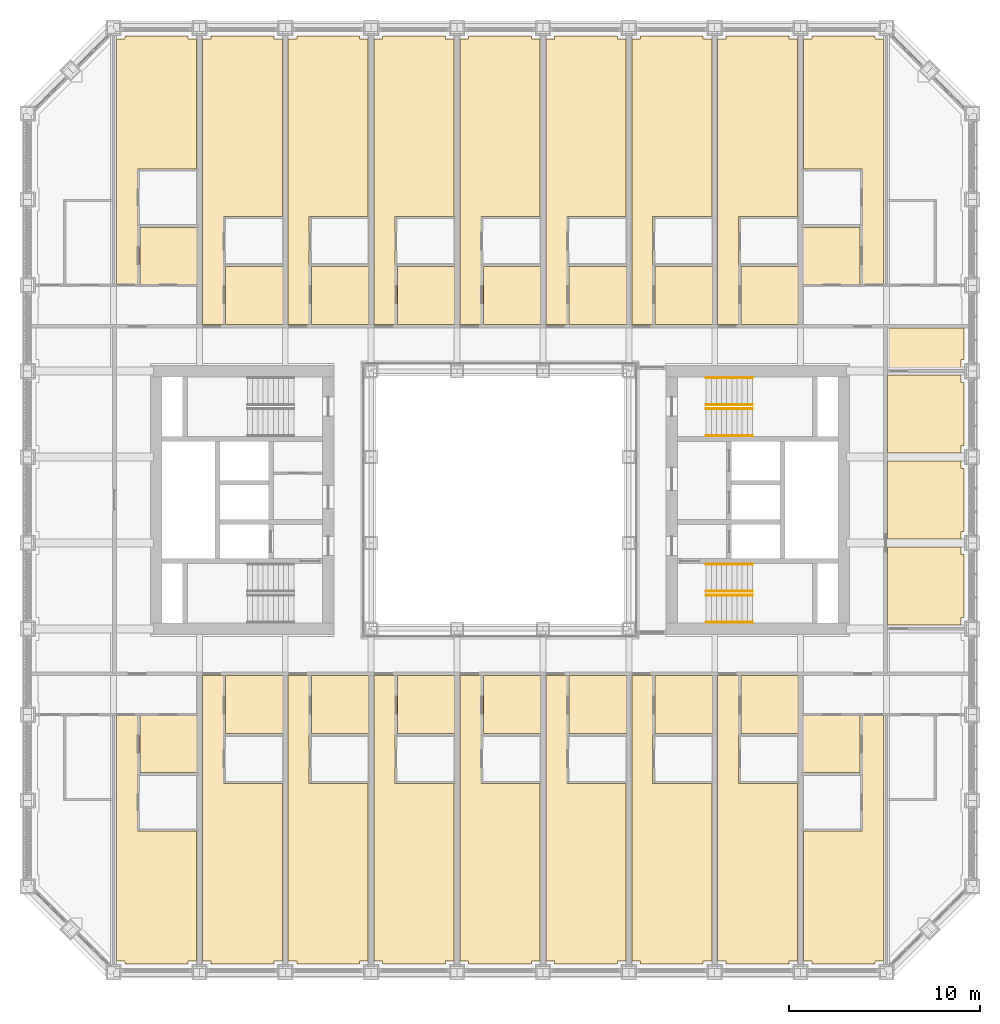
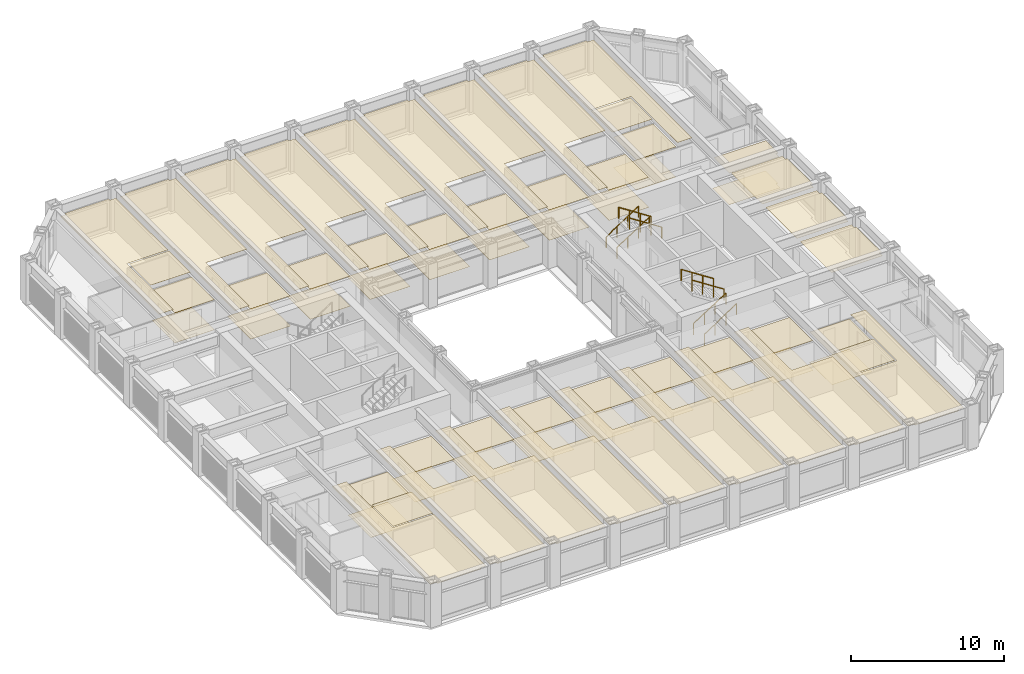
# One storey, part 20 of 21: 8 railings, 3 coverings.
"""IFC4 building model written with IfcOpenShell, lengths in metres."""

from ifc_helpers import new_model, si_unit, direction, frame, origin, origin_2d, place, context, subcontext, project, spatial, line, indexed_curve, circle, outline, extrude, material, layer, layer_set, type_object, element, save


model = new_model("IFC4")

# Units and contexts
model_context = context("Model", 3, precision=1e-05, world=origin(), true_north=direction((0.0, 1.0)))
body_context = subcontext(model_context, "Body", "Model", "MODEL_VIEW")
ifc_project = project(units=[si_unit("LENGTHUNIT", "METRE"), si_unit("AREAUNIT", "SQUARE_METRE"), si_unit("VOLUMEUNIT", "CUBIC_METRE"), si_unit("PLANEANGLEUNIT", "RADIAN"), si_unit("MASSUNIT", "GRAM", prefix="KILO")], contexts=[model_context])

# Site, building, storey
site_placement = place(None, origin())
site = spatial("IfcSite", under=ifc_project, at=site_placement, CompositionType="ELEMENT")
building_placement = place(site_placement, origin())
building = spatial("IfcBuilding", under=site, at=building_placement, Name="Msasa Ring Tower", CompositionType="ELEMENT")
storey_placement = place(building_placement, frame((0.0, 0.0, 30.0)))
storey = spatial("IfcBuildingStorey", under=building, at=storey_placement, Name="L06", CompositionType="ELEMENT", Elevation=30.0)

# Coverings
ifc_material_1 = material(Name="Gypsum plasterboard on a steel suspension grid", Category="steel")
ifc_layer_1 = layer(ifc_material_1, 0.014892578125)
ifc_layer_set_1 = layer_set([ifc_layer_1], Name="C1 SUSPENDED PLASTERBOARD CEILING 15")
covering_type_1 = type_object("IfcCoveringType", Name="C1 SUSPENDED PLASTERBOARD CEILING 15", PredefinedType="CEILING", material=ifc_layer_set_1)
covering_1_placement = place(storey_placement, frame((0.0, 0.0, 2.699951171875)))
element("IfcCovering", 1, at=covering_1_placement, inside=storey, type_object=covering_type_1, Name="Suspended Plasterboard Ceiling 15 L06", PredefinedType="CEILING", context=body_context, shape_type="SweptSolid", body=[
    extrude(outline(indexed_curve([(-19.6494140625, -24.299560546875), (-19.6494140625, -24.1494140625), (-20.095703125, -24.1494140625), (-20.095703125, -11.300537109375), (-19.00048828125, -11.300537109375), (-19.00048828125, -17.34130859375), (-15.904296875, -17.34130859375), (-15.904296875, -24.1494140625), (-16.3505859375, -24.1494140625), (-16.3505859375, -24.299560546875)], segments=[line(1, 2, 3, 4, 5, 6, 7, 8, 9, 10, 1)], self_intersect=False)), origin(), (0.0, 0.0, 1.0), 0.01513671875),
    extrude(outline(indexed_curve([(-19.00048828125, 11.300537109375), (-20.095703125, 11.300537109375), (-20.095703125, 24.1494140625), (-19.6494140625, 24.1494140625), (-19.6494140625, 24.299560546875), (-16.3505859375, 24.299560546875), (-16.3505859375, 24.1494140625), (-15.904296875, 24.1494140625), (-15.904296875, 17.34130859375), (-19.00048828125, 17.34130859375)], segments=[line(1, 2, 3, 4, 5, 6, 7, 8, 9, 10, 1)], self_intersect=False)), origin(), (0.0, 0.0, 1.0), 0.01513671875),
    extrude(outline(indexed_curve([(-18.8994140625, -14.430419921875), (-15.904296875, -14.430419921875), (-15.904296875, -17.2353515625), (-18.8994140625, -17.2353515625)], segments=[line(1, 2, 3, 4, 1)], self_intersect=False)), origin(), (0.0, 0.0, 1.0), 0.01513671875),
    extrude(outline(indexed_curve([(-15.904296875, 17.2353515625), (-15.904296875, 14.430419921875), (-18.8994140625, 14.430419921875), (-18.8994140625, 17.2353515625)], segments=[line(1, 2, 3, 4, 1)], self_intersect=False)), origin(), (0.0, 0.0, 1.0), 0.01513671875),
    extrude(outline(indexed_curve([(-15.1494140625, -24.299560546875), (-15.1494140625, -24.1494140625), (-15.595703125, -24.1494140625), (-15.595703125, -9.200439453125), (-14.50048828125, -9.200439453125), (-14.50048828125, -14.8505859375), (-11.404296875, -14.8505859375), (-11.404296875, -24.1494140625), (-11.8505859375, -24.1494140625), (-11.8505859375, -24.299560546875)], segments=[line(1, 2, 3, 4, 5, 6, 7, 8, 9, 10, 1)], self_intersect=False)), origin(), (0.0, 0.0, 1.0), 0.01513671875),
    extrude(outline(indexed_curve([(-11.8505859375, 24.299560546875), (-11.8505859375, 24.1494140625), (-11.404296875, 24.1494140625), (-11.404296875, 14.8505859375), (-14.50048828125, 14.8505859375), (-14.50048828125, 9.200439453125), (-15.595703125, 9.200439453125), (-15.595703125, 24.1494140625), (-15.1494140625, 24.1494140625), (-15.1494140625, 24.299560546875)], segments=[line(1, 2, 3, 4, 5, 6, 7, 8, 9, 10, 1)], self_intersect=False)), origin(), (0.0, 0.0, 1.0), 0.01513671875),
    extrude(outline(indexed_curve([(-10.6494140625, -24.299560546875), (-10.6494140625, -24.1494140625), (-11.095703125, -24.1494140625), (-11.095703125, -9.200439453125), (-10.00048828125, -9.200439453125), (-10.00048828125, -14.8505859375), (-6.904296875, -14.8505859375), (-6.904296875, -24.1494140625), (-7.3505859375, -24.1494140625), (-7.3505859375, -24.299560546875)], segments=[line(1, 2, 3, 4, 5, 6, 7, 8, 9, 10, 1)], self_intersect=False)), origin(), (0.0, 0.0, 1.0), 0.01513671875),
    extrude(outline(indexed_curve([(-11.095703125, 9.200439453125), (-11.095703125, 24.1494140625), (-10.6494140625, 24.1494140625), (-10.6494140625, 24.299560546875), (-7.3505859375, 24.299560546875), (-7.3505859375, 24.1494140625), (-6.904296875, 24.1494140625), (-6.904296875, 14.8505859375), (-10.00048828125, 14.8505859375), (-10.00048828125, 9.200439453125)], segments=[line(1, 2, 3, 4, 5, 6, 7, 8, 9, 10, 1)], self_intersect=False)), origin(), (0.0, 0.0, 1.0), 0.01513671875),
    extrude(outline(indexed_curve([(-5.50048828125, -9.200439453125), (-5.50048828125, -14.8505859375), (-2.404296875, -14.8505859375), (-2.404296875, -24.1494140625), (-2.8505859375, -24.1494140625), (-2.8505859375, -24.299560546875), (-6.1494140625, -24.299560546875), (-6.1494140625, -24.1494140625), (-6.595703125, -24.1494140625), (-6.595703125, -9.200439453125)], segments=[line(1, 2, 3, 4, 5, 6, 7, 8, 9, 10, 1)], self_intersect=False)), origin(), (0.0, 0.0, 1.0), 0.01513671875),
    extrude(outline(indexed_curve([(-2.8505859375, 24.299560546875), (-2.8505859375, 24.1494140625), (-2.404296875, 24.1494140625), (-2.404296875, 14.8505859375), (-5.50048828125, 14.8505859375), (-5.50048828125, 9.200439453125), (-6.595703125, 9.200439453125), (-6.595703125, 24.1494140625), (-6.1494140625, 24.1494140625), (-6.1494140625, 24.299560546875)], segments=[line(1, 2, 3, 4, 5, 6, 7, 8, 9, 10, 1)], self_intersect=False)), origin(), (0.0, 0.0, 1.0), 0.01513671875),
    extrude(outline(indexed_curve([(-1.00048828125, -9.200439453125), (-1.00048828125, -14.8505859375), (2.095703125, -14.8505859375), (2.095703125, -24.1494140625), (1.6494140625, -24.1494140625), (1.6494140625, -24.299560546875), (-1.6494140625, -24.299560546875), (-1.6494140625, -24.1494140625), (-2.095703125, -24.1494140625), (-2.095703125, -9.200439453125)], segments=[line(1, 2, 3, 4, 5, 6, 7, 8, 9, 10, 1)], self_intersect=False)), origin(), (0.0, 0.0, 1.0), 0.01513671875),
    extrude(outline(indexed_curve([(1.6494140625, 24.299560546875), (1.6494140625, 24.1494140625), (2.095703125, 24.1494140625), (2.095703125, 14.8505859375), (-1.00048828125, 14.8505859375), (-1.00048828125, 9.200439453125), (-2.095703125, 9.200439453125), (-2.095703125, 24.1494140625), (-1.6494140625, 24.1494140625), (-1.6494140625, 24.299560546875)], segments=[line(1, 2, 3, 4, 5, 6, 7, 8, 9, 10, 1)], self_intersect=False)), origin(), (0.0, 0.0, 1.0), 0.01513671875),
    extrude(outline(indexed_curve([(3.49951171875, -9.200439453125), (3.49951171875, -14.8505859375), (6.595703125, -14.8505859375), (6.595703125, -24.1494140625), (6.1494140625, -24.1494140625), (6.1494140625, -24.299560546875), (2.8505859375, -24.299560546875), (2.8505859375, -24.1494140625), (2.404296875, -24.1494140625), (2.404296875, -9.200439453125)], segments=[line(1, 2, 3, 4, 5, 6, 7, 8, 9, 10, 1)], self_intersect=False)), origin(), (0.0, 0.0, 1.0), 0.01513671875),
    extrude(outline(indexed_curve([(6.1494140625, 24.299560546875), (6.1494140625, 24.1494140625), (6.595703125, 24.1494140625), (6.595703125, 14.8505859375), (3.49951171875, 14.8505859375), (3.49951171875, 9.200439453125), (2.404296875, 9.200439453125), (2.404296875, 24.1494140625), (2.8505859375, 24.1494140625), (2.8505859375, 24.299560546875)], segments=[line(1, 2, 3, 4, 5, 6, 7, 8, 9, 10, 1)], self_intersect=False)), origin(), (0.0, 0.0, 1.0), 0.01513671875),
    extrude(outline(indexed_curve([(7.3505859375, -24.299560546875), (7.3505859375, -24.1494140625), (6.904296875, -24.1494140625), (6.904296875, -9.200439453125), (7.99951171875, -9.200439453125), (7.99951171875, -14.8505859375), (11.095703125, -14.8505859375), (11.095703125, -24.1494140625), (10.6494140625, -24.1494140625), (10.6494140625, -24.299560546875)], segments=[line(1, 2, 3, 4, 5, 6, 7, 8, 9, 10, 1)], self_intersect=False)), origin(), (0.0, 0.0, 1.0), 0.01513671875),
    extrude(outline(indexed_curve([(6.904296875, 9.200439453125), (6.904296875, 24.1494140625), (7.3505859375, 24.1494140625), (7.3505859375, 24.299560546875), (10.6494140625, 24.299560546875), (10.6494140625, 24.1494140625), (11.095703125, 24.1494140625), (11.095703125, 14.8505859375), (7.99951171875, 14.8505859375), (7.99951171875, 9.200439453125)], segments=[line(1, 2, 3, 4, 5, 6, 7, 8, 9, 10, 1)], self_intersect=False)), origin(), (0.0, 0.0, 1.0), 0.01513671875),
    extrude(outline(indexed_curve([(12.49951171875, -9.200439453125), (12.49951171875, -14.8505859375), (15.595703125, -14.8505859375), (15.595703125, -24.1494140625), (15.1494140625, -24.1494140625), (15.1494140625, -24.299560546875), (11.8505859375, -24.299560546875), (11.8505859375, -24.1494140625), (11.404296875, -24.1494140625), (11.404296875, -9.200439453125)], segments=[line(1, 2, 3, 4, 5, 6, 7, 8, 9, 10, 1)], self_intersect=False)), origin(), (0.0, 0.0, 1.0), 0.01513671875),
    extrude(outline(indexed_curve([(15.1494140625, 24.299560546875), (15.1494140625, 24.1494140625), (15.595703125, 24.1494140625), (15.595703125, 14.8505859375), (12.49951171875, 14.8505859375), (12.49951171875, 9.200439453125), (11.404296875, 9.200439453125), (11.404296875, 24.1494140625), (11.8505859375, 24.1494140625), (11.8505859375, 24.299560546875)], segments=[line(1, 2, 3, 4, 5, 6, 7, 8, 9, 10, 1)], self_intersect=False)), origin(), (0.0, 0.0, 1.0), 0.01513671875),
    extrude(outline(indexed_curve([(20.095703125, -11.300537109375), (20.095703125, -24.1494140625), (19.6494140625, -24.1494140625), (19.6494140625, -24.299560546875), (16.3505859375, -24.299560546875), (16.3505859375, -24.1494140625), (15.904296875, -24.1494140625), (15.904296875, -17.34130859375), (19.00048828125, -17.34130859375), (19.00048828125, -11.300537109375)], segments=[line(1, 2, 3, 4, 5, 6, 7, 8, 9, 10, 1)], self_intersect=False)), origin(), (0.0, 0.0, 1.0), 0.01513671875),
    extrude(outline(indexed_curve([(18.8994140625, -14.430419921875), (18.8994140625, -17.2353515625), (15.904296875, -17.2353515625), (15.904296875, -14.430419921875)], segments=[line(1, 2, 3, 4, 1)], self_intersect=False)), origin(), (0.0, 0.0, 1.0), 0.01513671875),
    extrude(outline(indexed_curve([(19.00048828125, 11.300537109375), (19.00048828125, 17.34130859375), (15.904296875, 17.34130859375), (15.904296875, 24.1494140625), (16.3505859375, 24.1494140625), (16.3505859375, 24.299560546875), (19.6494140625, 24.299560546875), (19.6494140625, 24.1494140625), (20.095703125, 24.1494140625), (20.095703125, 11.300537109375)], segments=[line(1, 2, 3, 4, 5, 6, 7, 8, 9, 10, 1)], self_intersect=False)), origin(), (0.0, 0.0, 1.0), 0.01513671875),
    extrude(outline(indexed_curve([(18.8994140625, 17.2353515625), (18.8994140625, 14.430419921875), (15.904296875, 14.430419921875), (15.904296875, 17.2353515625)], segments=[line(1, 2, 3, 4, 1)], self_intersect=False)), origin(), (0.0, 0.0, 1.0), 0.01513671875),
    extrude(outline(indexed_curve([(20.300537109375, -2.460693359375), (24.1494140625, -2.460693359375), (24.1494140625, -2.8505859375), (24.299560546875, -2.8505859375), (24.299560546875, -6.1494140625), (24.1494140625, -6.1494140625), (24.1494140625, -6.539306640625), (20.300537109375, -6.539306640625)], segments=[line(1, 2, 3, 4, 5, 6, 7, 8, 1)], self_intersect=False)), origin(), (0.0, 0.0, 1.0), 0.01513671875),
    extrude(outline(indexed_curve([(20.300537109375, 2.039306640625), (24.1494140625, 2.039306640625), (24.1494140625, 1.6494140625), (24.299560546875, 1.6494140625), (24.299560546875, -1.6494140625), (24.1494140625, -1.6494140625), (24.1494140625, -2.039306640625), (20.300537109375, -2.039306640625)], segments=[line(1, 2, 3, 4, 5, 6, 7, 8, 1)], self_intersect=False)), origin(), (0.0, 0.0, 1.0), 0.01513671875),
    extrude(outline(indexed_curve([(20.300537109375, 6.539306640625), (24.1494140625, 6.539306640625), (24.1494140625, 6.1494140625), (24.299560546875, 6.1494140625), (24.299560546875, 2.8505859375), (24.1494140625, 2.8505859375), (24.1494140625, 2.460693359375), (20.300537109375, 2.460693359375)], segments=[line(1, 2, 3, 4, 5, 6, 7, 8, 1)], self_intersect=False)), origin(), (0.0, 0.0, 1.0), 0.01513671875),
])
ifc_material_2 = material(Name="Moisture-resistant gypsum plasterboard on a steel suspension grid", Category="steel")
ifc_layer_2 = layer(ifc_material_2, 0.014892578125)
ifc_layer_set_2 = layer_set([ifc_layer_2], Name="C2 MOISTURE-RESISTANT PLASTERBOARD CEILING 15")
covering_type_2 = type_object("IfcCoveringType", Name="C2 MOISTURE-RESISTANT PLASTERBOARD CEILING 15", PredefinedType="CEILING", material=ifc_layer_set_2)
covering_2_placement = place(storey_placement, frame((0.0, 0.0, 2.39990234375)))
element("IfcCovering", 2, at=covering_2_placement, inside=storey, type_object=covering_type_2, Name="Moisture-Resistant Plasterboard Ceiling 15 L06", PredefinedType="CEILING", context=body_context, shape_type="SweptSolid", body=[
    extrude(outline(indexed_curve([(-18.8994140625, -11.300537109375), (-15.904296875, -11.300537109375), (-15.904296875, -14.299560546875), (-18.8994140625, -14.299560546875)], segments=[line(1, 2, 3, 4, 1)], self_intersect=False)), origin(), (0.0, 0.0, 1.0), 0.01513671875),
    extrude(outline(indexed_curve([(-18.8994140625, 14.299560546875), (-15.904296875, 14.299560546875), (-15.904296875, 11.300537109375), (-18.8994140625, 11.300537109375)], segments=[line(1, 2, 3, 4, 1)], self_intersect=False)), origin(), (0.0, 0.0, 1.0), 0.01513671875),
    extrude(outline(indexed_curve([(-14.3994140625, -9.200439453125), (-11.404296875, -9.200439453125), (-11.404296875, -12.24951171875), (-14.3994140625, -12.24951171875)], segments=[line(1, 2, 3, 4, 1)], self_intersect=False)), origin(), (0.0, 0.0, 1.0), 0.01513671875),
    extrude(outline(indexed_curve([(-14.3994140625, 12.24951171875), (-11.404296875, 12.24951171875), (-11.404296875, 9.200439453125), (-14.3994140625, 9.200439453125)], segments=[line(1, 2, 3, 4, 1)], self_intersect=False)), origin(), (0.0, 0.0, 1.0), 0.01513671875),
    extrude(outline(indexed_curve([(-9.8994140625, -9.200439453125), (-6.904296875, -9.200439453125), (-6.904296875, -12.24951171875), (-9.8994140625, -12.24951171875)], segments=[line(1, 2, 3, 4, 1)], self_intersect=False)), origin(), (0.0, 0.0, 1.0), 0.01513671875),
    extrude(outline(indexed_curve([(-9.8994140625, 12.24951171875), (-6.904296875, 12.24951171875), (-6.904296875, 9.200439453125), (-9.8994140625, 9.200439453125)], segments=[line(1, 2, 3, 4, 1)], self_intersect=False)), origin(), (0.0, 0.0, 1.0), 0.01513671875),
    extrude(outline(indexed_curve([(-5.3994140625, -9.200439453125), (-2.404296875, -9.200439453125), (-2.404296875, -12.24951171875), (-5.3994140625, -12.24951171875)], segments=[line(1, 2, 3, 4, 1)], self_intersect=False)), origin(), (0.0, 0.0, 1.0), 0.01513671875),
    extrude(outline(indexed_curve([(-2.404296875, 12.24951171875), (-2.404296875, 9.200439453125), (-5.3994140625, 9.200439453125), (-5.3994140625, 12.24951171875)], segments=[line(1, 2, 3, 4, 1)], self_intersect=False)), origin(), (0.0, 0.0, 1.0), 0.01513671875),
    extrude(outline(indexed_curve([(-0.8994140625, -9.200439453125), (2.095703125, -9.200439453125), (2.095703125, -12.24951171875), (-0.8994140625, -12.24951171875)], segments=[line(1, 2, 3, 4, 1)], self_intersect=False)), origin(), (0.0, 0.0, 1.0), 0.01513671875),
    extrude(outline(indexed_curve([(2.095703125, 12.24951171875), (2.095703125, 9.200439453125), (-0.8994140625, 9.200439453125), (-0.8994140625, 12.24951171875)], segments=[line(1, 2, 3, 4, 1)], self_intersect=False)), origin(), (0.0, 0.0, 1.0), 0.01513671875),
    extrude(outline(indexed_curve([(3.6005859375, -9.200439453125), (6.595703125, -9.200439453125), (6.595703125, -12.24951171875), (3.6005859375, -12.24951171875)], segments=[line(1, 2, 3, 4, 1)], self_intersect=False)), origin(), (0.0, 0.0, 1.0), 0.01513671875),
    extrude(outline(indexed_curve([(3.6005859375, 12.24951171875), (6.595703125, 12.24951171875), (6.595703125, 9.200439453125), (3.6005859375, 9.200439453125)], segments=[line(1, 2, 3, 4, 1)], self_intersect=False)), origin(), (0.0, 0.0, 1.0), 0.01513671875),
    extrude(outline(indexed_curve([(11.095703125, -9.200439453125), (11.095703125, -12.24951171875), (8.1005859375, -12.24951171875), (8.1005859375, -9.200439453125)], segments=[line(1, 2, 3, 4, 1)], self_intersect=False)), origin(), (0.0, 0.0, 1.0), 0.01513671875),
    extrude(outline(indexed_curve([(8.1005859375, 12.24951171875), (11.095703125, 12.24951171875), (11.095703125, 9.200439453125), (8.1005859375, 9.200439453125)], segments=[line(1, 2, 3, 4, 1)], self_intersect=False)), origin(), (0.0, 0.0, 1.0), 0.01513671875),
    extrude(outline(indexed_curve([(15.595703125, -9.200439453125), (15.595703125, -12.24951171875), (12.6005859375, -12.24951171875), (12.6005859375, -9.200439453125)], segments=[line(1, 2, 3, 4, 1)], self_intersect=False)), origin(), (0.0, 0.0, 1.0), 0.01513671875),
    extrude(outline(indexed_curve([(15.595703125, 12.24951171875), (15.595703125, 9.200439453125), (12.6005859375, 9.200439453125), (12.6005859375, 12.24951171875)], segments=[line(1, 2, 3, 4, 1)], self_intersect=False)), origin(), (0.0, 0.0, 1.0), 0.01513671875),
    extrude(outline(indexed_curve([(18.8994140625, -11.300537109375), (18.8994140625, -14.299560546875), (15.904296875, -14.299560546875), (15.904296875, -11.300537109375)], segments=[line(1, 2, 3, 4, 1)], self_intersect=False)), origin(), (0.0, 0.0, 1.0), 0.01513671875),
    extrude(outline(indexed_curve([(18.8994140625, 14.299560546875), (18.8994140625, 11.300537109375), (15.904296875, 11.300537109375), (15.904296875, 14.299560546875)], segments=[line(1, 2, 3, 4, 1)], self_intersect=False)), origin(), (0.0, 0.0, 1.0), 0.01513671875),
    extrude(outline(indexed_curve([(24.299560546875, 8.99951171875), (24.299560546875, 7.3505859375), (24.1494140625, 7.3505859375), (24.1494140625, 6.960693359375), (20.404296875, 6.960693359375), (20.404296875, 8.99951171875)], segments=[line(1, 2, 3, 4, 5, 6, 1)], self_intersect=False)), origin(), (0.0, 0.0, 1.0), 0.01513671875),
])
ifc_material_3 = material(Name="Porcelain floor tiles in adhesive", Category="ceramic")
ifc_layer_3 = layer(ifc_material_3, 0.010009765625)
ifc_layer_set_3 = layer_set([ifc_layer_3], Name="F4 PORCELAIN TILE ON ADHESIVE 10")
covering_type_3 = type_object("IfcCoveringType", Name="F4 PORCELAIN TILE ON ADHESIVE 10", PredefinedType="FLOORING", material=ifc_layer_set_3)
covering_3_placement = place(storey_placement, origin())
element("IfcCovering", 3, at=covering_3_placement, inside=storey, type_object=covering_type_3, Name="Porcelain Tile On Adhesive 10 L06", PredefinedType="FLOORING", context=body_context, shape_type="SweptSolid", body=[
    extrude(outline(indexed_curve([(-15.87548828125, -11.300537109375), (-15.87548828125, -14.2744140625), (-18.87451171875, -14.2744140625), (-18.87451171875, -11.300537109375)], segments=[line(1, 2, 3, 4, 1)], self_intersect=False)), origin(), (0.0, 0.0, 1.0), 0.010009765625),
    extrude(outline(indexed_curve([(-18.87451171875, 11.300537109375), (-18.87451171875, 14.2744140625), (-15.87548828125, 14.2744140625), (-15.87548828125, 11.300537109375)], segments=[line(1, 2, 3, 4, 1)], self_intersect=False)), origin(), (0.0, 0.0, 1.0), 0.010009765625),
    extrude(outline(indexed_curve([(-11.37548828125, -9.200439453125), (-11.37548828125, -12.224609375), (-14.37451171875, -12.224609375), (-14.37451171875, -9.200439453125)], segments=[line(1, 2, 3, 4, 1)], self_intersect=False)), origin(), (0.0, 0.0, 1.0), 0.010009765625),
    extrude(outline(indexed_curve([(-14.37451171875, 9.200439453125), (-14.37451171875, 12.224609375), (-11.37548828125, 12.224609375), (-11.37548828125, 9.200439453125)], segments=[line(1, 2, 3, 4, 1)], self_intersect=False)), origin(), (0.0, 0.0, 1.0), 0.010009765625),
    extrude(outline(indexed_curve([(-6.87548828125, -9.200439453125), (-6.87548828125, -12.224609375), (-9.87451171875, -12.224609375), (-9.87451171875, -9.200439453125)], segments=[line(1, 2, 3, 4, 1)], self_intersect=False)), origin(), (0.0, 0.0, 1.0), 0.010009765625),
    extrude(outline(indexed_curve([(-9.87451171875, 9.200439453125), (-9.87451171875, 12.224609375), (-6.87548828125, 12.224609375), (-6.87548828125, 9.200439453125)], segments=[line(1, 2, 3, 4, 1)], self_intersect=False)), origin(), (0.0, 0.0, 1.0), 0.010009765625),
    extrude(outline(indexed_curve([(-2.37548828125, -9.200439453125), (-2.37548828125, -12.224609375), (-5.37451171875, -12.224609375), (-5.37451171875, -9.200439453125)], segments=[line(1, 2, 3, 4, 1)], self_intersect=False)), origin(), (0.0, 0.0, 1.0), 0.010009765625),
    extrude(outline(indexed_curve([(-5.37451171875, 9.200439453125), (-5.37451171875, 12.224609375), (-2.37548828125, 12.224609375), (-2.37548828125, 9.200439453125)], segments=[line(1, 2, 3, 4, 1)], self_intersect=False)), origin(), (0.0, 0.0, 1.0), 0.010009765625),
    extrude(outline(indexed_curve([(2.12451171875, -9.200439453125), (2.12451171875, -12.224609375), (-0.87451171875, -12.224609375), (-0.87451171875, -9.200439453125)], segments=[line(1, 2, 3, 4, 1)], self_intersect=False)), origin(), (0.0, 0.0, 1.0), 0.010009765625),
    extrude(outline(indexed_curve([(-0.87451171875, 9.200439453125), (-0.87451171875, 12.224609375), (2.12451171875, 12.224609375), (2.12451171875, 9.200439453125)], segments=[line(1, 2, 3, 4, 1)], self_intersect=False)), origin(), (0.0, 0.0, 1.0), 0.010009765625),
    extrude(outline(indexed_curve([(6.62451171875, -9.200439453125), (6.62451171875, -12.224609375), (3.62548828125, -12.224609375), (3.62548828125, -9.200439453125)], segments=[line(1, 2, 3, 4, 1)], self_intersect=False)), origin(), (0.0, 0.0, 1.0), 0.010009765625),
    extrude(outline(indexed_curve([(3.62548828125, 9.200439453125), (3.62548828125, 12.224609375), (6.62451171875, 12.224609375), (6.62451171875, 9.200439453125)], segments=[line(1, 2, 3, 4, 1)], self_intersect=False)), origin(), (0.0, 0.0, 1.0), 0.010009765625),
    extrude(outline(indexed_curve([(11.12451171875, -9.200439453125), (11.12451171875, -12.224609375), (8.12548828125, -12.224609375), (8.12548828125, -9.200439453125)], segments=[line(1, 2, 3, 4, 1)], self_intersect=False)), origin(), (0.0, 0.0, 1.0), 0.010009765625),
    extrude(outline(indexed_curve([(8.12548828125, 9.200439453125), (8.12548828125, 12.224609375), (11.12451171875, 12.224609375), (11.12451171875, 9.200439453125)], segments=[line(1, 2, 3, 4, 1)], self_intersect=False)), origin(), (0.0, 0.0, 1.0), 0.010009765625),
    extrude(outline(indexed_curve([(15.62451171875, -9.200439453125), (15.62451171875, -12.224609375), (12.62548828125, -12.224609375), (12.62548828125, -9.200439453125)], segments=[line(1, 2, 3, 4, 1)], self_intersect=False)), origin(), (0.0, 0.0, 1.0), 0.010009765625),
    extrude(outline(indexed_curve([(12.62548828125, 9.200439453125), (12.62548828125, 12.224609375), (15.62451171875, 12.224609375), (15.62451171875, 9.200439453125)], segments=[line(1, 2, 3, 4, 1)], self_intersect=False)), origin(), (0.0, 0.0, 1.0), 0.010009765625),
    extrude(outline(indexed_curve([(18.87451171875, -11.300537109375), (18.87451171875, -14.2744140625), (15.87548828125, -14.2744140625), (15.87548828125, -11.300537109375)], segments=[line(1, 2, 3, 4, 1)], self_intersect=False)), origin(), (0.0, 0.0, 1.0), 0.010009765625),
    extrude(outline(indexed_curve([(15.87548828125, 11.300537109375), (15.87548828125, 14.2744140625), (18.87451171875, 14.2744140625), (18.87451171875, 11.300537109375)], segments=[line(1, 2, 3, 4, 1)], self_intersect=False)), origin(), (0.0, 0.0, 1.0), 0.010009765625),
    extrude(outline(indexed_curve([(20.300537109375, 8.99951171875), (24.299560546875, 8.99951171875), (24.299560546875, 7.3505859375), (24.1494140625, 7.3505859375), (24.1494140625, 6.83056640625), (20.300537109375, 6.83056640625)], segments=[line(1, 2, 3, 4, 5, 6, 1)], self_intersect=False)), origin(), (0.0, 0.0, 1.0), 0.010009765625),
])

# Railings
ifc_material_4 = material(Name="Stainless steel", Category="steel")
railing_type = type_object("IfcRailingType", Name="HR1 HANDRAIL 900", PredefinedType="HANDRAIL", material=ifc_material_4)
for number, where, name in (
    (4, (10.800048828125, -6.39990234375, 0.175048828125), "Handrail stair SEA L06 1"),
    (5, (10.800048828125, -5.0, 0.175048828125), "Handrail stair SEA L06 2"),
):
    element("IfcRailing", number, at=place(storey_placement, frame(where)), inside=storey, type_object=railing_type, Name=name, PredefinedType="HANDRAIL", context=body_context, shape_type="SweptSolid", body=[
        extrude(circle(Radius=0.02392578125, at=origin_2d()), frame((0.0, 0.0, 0.8759765625), z_axis=(0.839153699163, 0.0, 0.543894354798), x_axis=(0.0, 1.0, 0.0)), (0.0, 0.0, 1.0), 2.895751953125),
        extrude(circle(Radius=0.02099609375, at=origin_2d()), origin(), (0.0, 0.0, 1.0), 0.851806640625),
        extrude(circle(Radius=0.02099609375, at=origin_2d()), frame((0.81005859375, 0.0, 0.52490234375)), (0.0, 0.0, 1.0), 0.851806640625),
        extrude(circle(Radius=0.02099609375, at=origin_2d()), frame((1.619873046875, 0.0, 1.050048828125)), (0.0, 0.0, 1.0), 0.851806640625),
        extrude(circle(Radius=0.02099609375, at=origin_2d()), frame((2.429931640625, 0.0, 1.574951171875)), (0.0, 0.0, 1.0), 0.851806640625),
    ])
for number, where, name in (
    (6, (13.22998046875, -4.77490234375, 1.925048828125), "Handrail stair SEA L06 3"),
    (7, (13.22998046875, -3.375, 1.925048828125), "Handrail stair SEA L06 4"),
):
    element("IfcRailing", number, at=place(storey_placement, frame(where)), inside=storey, type_object=railing_type, Name=name, PredefinedType="HANDRAIL", context=body_context, shape_type="SweptSolid", body=[
        extrude(circle(Radius=0.02392578125, at=origin_2d()), frame((0.0, 0.0, 0.8759765625), z_axis=(-0.839153699163, 0.0, 0.543894354798), x_axis=(0.0, -1.0, 0.0)), (0.0, 0.0, 1.0), 2.895751953125),
        extrude(circle(Radius=0.02099609375, at=origin_2d()), origin(), (0.0, 0.0, 1.0), 0.851806640625),
        extrude(circle(Radius=0.02099609375, at=origin_2d()), frame((-0.81005859375, 0.0, 0.52490234375)), (0.0, 0.0, 1.0), 0.851806640625),
        extrude(circle(Radius=0.02099609375, at=origin_2d()), frame((-1.619873046875, 0.0, 1.050048828125)), (0.0, 0.0, 1.0), 0.851806640625),
        extrude(circle(Radius=0.02099609375, at=origin_2d()), frame((-2.429931640625, 0.0, 1.574951171875)), (0.0, 0.0, 1.0), 0.851806640625),
    ])
for number, where, name in (
    (8, (10.800048828125, 5.0, 0.175048828125), "Handrail stair SEB L06 1"),
    (9, (10.800048828125, 6.39990234375, 0.175048828125), "Handrail stair SEB L06 2"),
):
    element("IfcRailing", number, at=place(storey_placement, frame(where)), inside=storey, type_object=railing_type, Name=name, PredefinedType="HANDRAIL", context=body_context, shape_type="SweptSolid", body=[
        extrude(circle(Radius=0.02392578125, at=origin_2d()), frame((0.0, 0.0, 0.8759765625), z_axis=(0.839153699163, 0.0, 0.543894354798), x_axis=(0.0, 1.0, 0.0)), (0.0, 0.0, 1.0), 2.895751953125),
        extrude(circle(Radius=0.02099609375, at=origin_2d()), origin(), (0.0, 0.0, 1.0), 0.851806640625),
        extrude(circle(Radius=0.02099609375, at=origin_2d()), frame((0.81005859375, 0.0, 0.52490234375)), (0.0, 0.0, 1.0), 0.851806640625),
        extrude(circle(Radius=0.02099609375, at=origin_2d()), frame((1.619873046875, 0.0, 1.050048828125)), (0.0, 0.0, 1.0), 0.851806640625),
        extrude(circle(Radius=0.02099609375, at=origin_2d()), frame((2.429931640625, 0.0, 1.574951171875)), (0.0, 0.0, 1.0), 0.851806640625),
    ])
for number, where, name in (
    (10, (13.22998046875, 3.375, 1.925048828125), "Handrail stair SEB L06 3"),
    (11, (13.22998046875, 4.77490234375, 1.925048828125), "Handrail stair SEB L06 4"),
):
    element("IfcRailing", number, at=place(storey_placement, frame(where)), inside=storey, type_object=railing_type, Name=name, PredefinedType="HANDRAIL", context=body_context, shape_type="SweptSolid", body=[
        extrude(circle(Radius=0.02392578125, at=origin_2d()), frame((0.0, 0.0, 0.8759765625), z_axis=(-0.839153699163, 0.0, 0.543894354798), x_axis=(0.0, -1.0, 0.0)), (0.0, 0.0, 1.0), 2.895751953125),
        extrude(circle(Radius=0.02099609375, at=origin_2d()), origin(), (0.0, 0.0, 1.0), 0.851806640625),
        extrude(circle(Radius=0.02099609375, at=origin_2d()), frame((-0.81005859375, 0.0, 0.52490234375)), (0.0, 0.0, 1.0), 0.851806640625),
        extrude(circle(Radius=0.02099609375, at=origin_2d()), frame((-1.619873046875, 0.0, 1.050048828125)), (0.0, 0.0, 1.0), 0.851806640625),
        extrude(circle(Radius=0.02099609375, at=origin_2d()), frame((-2.429931640625, 0.0, 1.574951171875)), (0.0, 0.0, 1.0), 0.851806640625),
    ])

save(model, "model.ifc")
